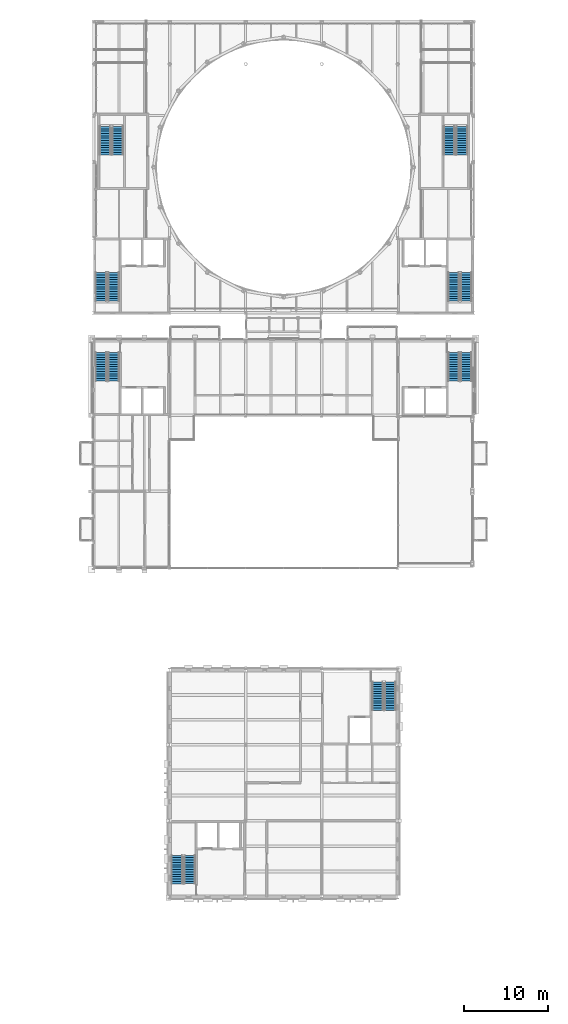
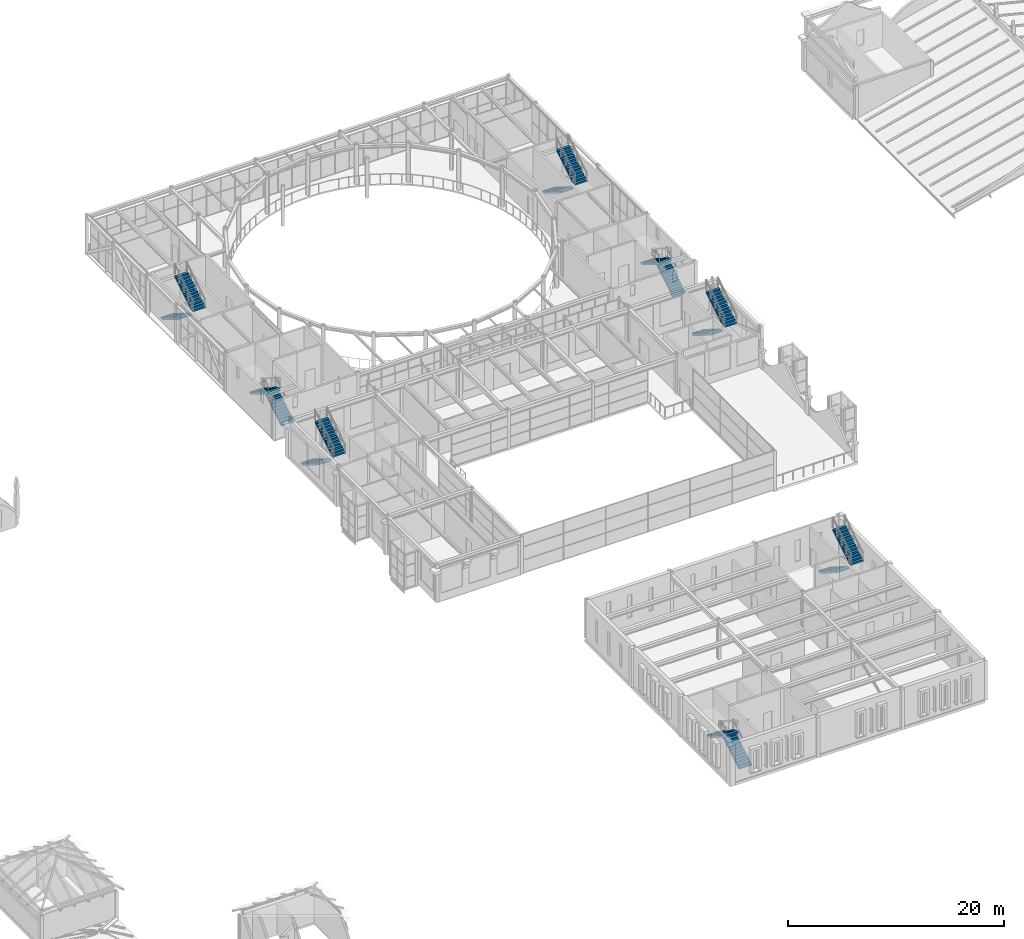
# One storey, part 75 of 111: 16 stair flights, 8 elements without a shape of their own.
"""IFC4 building model written with IfcOpenShell, lengths in metres."""

from ifc_helpers import new_model, si_unit, direction, frame, origin, place, context, subcontext, project, spatial, polyline, outline, extrude, material, type_object, element, aggregate, save


model = new_model("IFC4")

# Units and contexts
model_context = context("Model", 3, precision=1e-05, world=origin(), true_north=direction((0.0, 1.0)))
body_context = subcontext(model_context, "Body", "Model", "MODEL_VIEW")
ifc_project = project(units=[si_unit("LENGTHUNIT", "METRE"), si_unit("AREAUNIT", "SQUARE_METRE"), si_unit("VOLUMEUNIT", "CUBIC_METRE"), si_unit("PLANEANGLEUNIT", "RADIAN"), si_unit("MASSUNIT", "GRAM", prefix="KILO")], contexts=[model_context])

# Site, building, storey
site_placement = place(None, origin())
site = spatial("IfcSite", under=ifc_project, at=site_placement, CompositionType="ELEMENT")
building_placement = place(site_placement, origin())
building = spatial("IfcBuilding", under=site, at=building_placement, Name="Kallimachos Central Library", CompositionType="ELEMENT")
storey_placement = place(building_placement, frame((0.0, 0.0, 14.39990234375)))
storey = spatial("IfcBuildingStorey", under=building, at=storey_placement, Name="L03", CompositionType="ELEMENT", Elevation=14.39990234375)

# Stair, stair flights
ifc_material_1 = material(Name="Concrete C30/37", Category="concrete")
stair_type_1 = type_object("IfcStairType", Name="Concrete stair 1350", PredefinedType="HALF_TURN_STAIR", material=ifc_material_1)
stair_1_placement = place(storey_placement, origin())
stair_1 = element("IfcStair", 1, at=stair_1_placement, inside=storey, type_object=stair_type_1, Name="L03 stair ST13", PredefinedType="HALF_TURN_STAIR")
ifc_material_2 = material(Name="Concrete C30/37", Category="concrete")
stair_flight_type_1 = type_object("IfcStairFlightType", Name="Concrete stair flight 1350", PredefinedType="STRAIGHT", material=ifc_material_2)
stair_flight_1_placement = place(storey_placement, frame((76.875, 19.550048828125, 0.0), z_axis=(0.0, 0.0, 1.0), x_axis=(0.0, 1.0, 0.0)))
stair_flight_1 = element("IfcStairFlight", 2, at=stair_flight_1_placement, type_object=stair_flight_type_1, Name="ST13 flight 1", NumberOfRisers=13, NumberOfTreads=12, PredefinedType="STRAIGHT", RiserHeight=0.173076923, TreadLength=0.28, context=body_context, shape_type="SweptSolid", body=[
    extrude(outline(polyline([(0.0, 0.0), (0.0, 0.173095703125), (0.280029296875, 0.173095703125), (0.280029296875, 0.34619140625), (0.56005859375, 0.34619140625), (0.56005859375, 0.519287109375), (0.840087890625, 0.519287109375), (0.840087890625, 0.6923828125), (1.1201171875, 0.6923828125), (1.1201171875, 0.865478515625), (1.39990234375, 0.865478515625), (1.39990234375, 1.03857421875), (1.679931640625, 1.03857421875), (1.679931640625, 1.21142578125), (1.9599609375, 1.21142578125), (1.9599609375, 1.384521484375), (2.239990234375, 1.384521484375), (2.239990234375, 1.5576171875), (2.52001953125, 1.5576171875), (2.52001953125, 1.730712890625), (2.800048828125, 1.730712890625), (2.800048828125, 1.90380859375), (3.080078125, 1.90380859375), (3.080078125, 2.076904296875), (3.360107421875, 2.076904296875), (3.360107421875, 2.25), (3.360107421875, 1.900634765625), (0.28515625, 0.0), (0.0, 0.0)])), frame((0.0, 0.675048828125, 0.0), z_axis=(0.0, -1.0, 0.0), x_axis=(1.0, 0.0, 0.0)), (0.0, 0.0, 1.0), 1.35009765625),
])
stair_flight_2_placement = place(storey_placement, frame((75.375, 22.909912109375, 2.25), z_axis=(0.0, 0.0, 1.0), x_axis=(0.0, -1.0, 0.0)))
stair_flight_2 = element("IfcStairFlight", 3, at=stair_flight_2_placement, type_object=stair_flight_type_1, Name="ST13 flight 2", NumberOfRisers=13, NumberOfTreads=12, PredefinedType="STRAIGHT", RiserHeight=0.173076923, TreadLength=0.28, context=body_context, shape_type="SweptSolid", body=[
    extrude(outline(polyline([(0.0, 0.0), (0.0, 0.173095703125), (0.280029296875, 0.173095703125), (0.280029296875, 0.34619140625), (0.56005859375, 0.34619140625), (0.56005859375, 0.519287109375), (0.840087890625, 0.519287109375), (0.840087890625, 0.6923828125), (1.1201171875, 0.6923828125), (1.1201171875, 0.865478515625), (1.39990234375, 0.865478515625), (1.39990234375, 1.03857421875), (1.679931640625, 1.03857421875), (1.679931640625, 1.21142578125), (1.9599609375, 1.21142578125), (1.9599609375, 1.384521484375), (2.239990234375, 1.384521484375), (2.239990234375, 1.5576171875), (2.52001953125, 1.5576171875), (2.52001953125, 1.730712890625), (2.800048828125, 1.730712890625), (2.800048828125, 1.90380859375), (3.080078125, 1.90380859375), (3.080078125, 2.076904296875), (3.360107421875, 2.076904296875), (3.360107421875, 2.25), (3.360107421875, 1.900634765625), (0.28515625, 0.0), (0.0, 0.0)])), frame((0.0, 0.675048828125, 0.0), z_axis=(0.0, -1.0, 0.0), x_axis=(1.0, 0.0, 0.0)), (0.0, 0.0, 1.0), 1.35009765625),
])
aggregate(stair_1, [stair_flight_1, stair_flight_2])

stair_2_placement = place(storey_placement, origin())
stair_2 = element("IfcStair", 4, at=stair_2_placement, inside=storey, type_object=stair_type_1, Name="L03 stair ST14", PredefinedType="HALF_TURN_STAIR")
stair_flight_3_placement = place(storey_placement, frame((99.125, 43.449951171875, 0.0), z_axis=(0.0, 0.0, 1.0), x_axis=(0.0, -1.0, 0.0)))
stair_flight_3 = element("IfcStairFlight", 5, at=stair_flight_3_placement, type_object=stair_flight_type_1, Name="ST14 flight 1", NumberOfRisers=13, NumberOfTreads=12, PredefinedType="STRAIGHT", RiserHeight=0.173076923, TreadLength=0.28, context=body_context, shape_type="SweptSolid", body=[
    extrude(outline(polyline([(0.0, 0.0), (0.0, 0.173095703125), (0.280029296875, 0.173095703125), (0.280029296875, 0.34619140625), (0.56005859375, 0.34619140625), (0.56005859375, 0.519287109375), (0.840087890625, 0.519287109375), (0.840087890625, 0.6923828125), (1.1201171875, 0.6923828125), (1.1201171875, 0.865478515625), (1.39990234375, 0.865478515625), (1.39990234375, 1.03857421875), (1.679931640625, 1.03857421875), (1.679931640625, 1.21142578125), (1.9599609375, 1.21142578125), (1.9599609375, 1.384521484375), (2.239990234375, 1.384521484375), (2.239990234375, 1.5576171875), (2.52001953125, 1.5576171875), (2.52001953125, 1.730712890625), (2.800048828125, 1.730712890625), (2.800048828125, 1.90380859375), (3.080078125, 1.90380859375), (3.080078125, 2.076904296875), (3.360107421875, 2.076904296875), (3.360107421875, 2.25), (3.360107421875, 1.900634765625), (0.28515625, 0.0), (0.0, 0.0)])), frame((0.0, 0.675048828125, 0.0), z_axis=(0.0, -1.0, 0.0), x_axis=(1.0, 0.0, 0.0)), (0.0, 0.0, 1.0), 1.35009765625),
])
stair_flight_4_placement = place(storey_placement, frame((100.625, 40.090087890625, 2.25), z_axis=(0.0, 0.0, 1.0), x_axis=(0.0, 1.0, 0.0)))
stair_flight_4 = element("IfcStairFlight", 6, at=stair_flight_4_placement, type_object=stair_flight_type_1, Name="ST14 flight 2", NumberOfRisers=13, NumberOfTreads=12, PredefinedType="STRAIGHT", RiserHeight=0.173076923, TreadLength=0.28, context=body_context, shape_type="SweptSolid", body=[
    extrude(outline(polyline([(0.0, 0.0), (0.0, 0.173095703125), (0.280029296875, 0.173095703125), (0.280029296875, 0.34619140625), (0.56005859375, 0.34619140625), (0.56005859375, 0.519287109375), (0.840087890625, 0.519287109375), (0.840087890625, 0.6923828125), (1.1201171875, 0.6923828125), (1.1201171875, 0.865478515625), (1.39990234375, 0.865478515625), (1.39990234375, 1.03857421875), (1.679931640625, 1.03857421875), (1.679931640625, 1.21142578125), (1.9599609375, 1.21142578125), (1.9599609375, 1.384521484375), (2.239990234375, 1.384521484375), (2.239990234375, 1.5576171875), (2.52001953125, 1.5576171875), (2.52001953125, 1.730712890625), (2.800048828125, 1.730712890625), (2.800048828125, 1.90380859375), (3.080078125, 1.90380859375), (3.080078125, 2.076904296875), (3.360107421875, 2.076904296875), (3.360107421875, 2.25), (3.360107421875, 1.900634765625), (0.28515625, 0.0), (0.0, 0.0)])), frame((0.0, 0.675048828125, 0.0), z_axis=(0.0, -1.0, 0.0), x_axis=(1.0, 0.0, 0.0)), (0.0, 0.0, 1.0), 1.35009765625),
])
aggregate(stair_2, [stair_flight_3, stair_flight_4])

ifc_material_3 = material(Name="Concrete C30/37", Category="concrete")
stair_type_2 = type_object("IfcStairType", Name="Escape stair", PredefinedType="HALF_TURN_STAIR", material=ifc_material_3)
stair_3_placement = place(storey_placement, origin())
stair_3 = element("IfcStair", 7, at=stair_3_placement, inside=storey, type_object=stair_type_2, Name="L03 stair ST9", PredefinedType="HALF_TURN_STAIR")
ifc_material_4 = material(Name="Concrete C30/37", Category="concrete")
stair_flight_type_2 = type_object("IfcStairFlightType", Name="Stair flight", PredefinedType="STRAIGHT", material=ifc_material_4)
stair_flight_5_placement = place(storey_placement, frame((66.375, 82.449951171875, 0.0), z_axis=(0.0, 0.0, 1.0), x_axis=(0.0, -1.0, 0.0)))
stair_flight_5 = element("IfcStairFlight", 8, at=stair_flight_5_placement, type_object=stair_flight_type_2, Name="ST9 flight 1", NumberOfRisers=13, NumberOfTreads=12, PredefinedType="STRAIGHT", RiserHeight=0.173076923, TreadLength=0.28, context=body_context, shape_type="SweptSolid", body=[
    extrude(outline(polyline([(0.0, 0.0), (0.0, 0.173095703125), (0.280029296875, 0.173095703125), (0.280029296875, 0.34619140625), (0.56005859375, 0.34619140625), (0.56005859375, 0.519287109375), (0.840087890625, 0.519287109375), (0.840087890625, 0.6923828125), (1.1201171875, 0.6923828125), (1.1201171875, 0.865478515625), (1.39990234375, 0.865478515625), (1.39990234375, 1.03857421875), (1.679931640625, 1.03857421875), (1.679931640625, 1.21142578125), (1.9599609375, 1.21142578125), (1.9599609375, 1.384521484375), (2.239990234375, 1.384521484375), (2.239990234375, 1.5576171875), (2.52001953125, 1.5576171875), (2.52001953125, 1.730712890625), (2.800048828125, 1.730712890625), (2.800048828125, 1.90380859375), (3.080078125, 1.90380859375), (3.080078125, 2.076904296875), (3.360107421875, 2.076904296875), (3.360107421875, 2.25), (3.360107421875, 1.900634765625), (0.28515625, 0.0), (0.0, 0.0)])), frame((0.0, 0.675048828125, 0.0), z_axis=(0.0, -1.0, 0.0), x_axis=(1.0, 0.0, 0.0)), (0.0, 0.0, 1.0), 1.35009765625),
])
stair_flight_6_placement = place(storey_placement, frame((67.875, 79.090087890625, 2.25), z_axis=(0.0, 0.0, 1.0), x_axis=(0.0, 1.0, 0.0)))
stair_flight_6 = element("IfcStairFlight", 9, at=stair_flight_6_placement, type_object=stair_flight_type_2, Name="ST9 flight 2", NumberOfRisers=13, NumberOfTreads=12, PredefinedType="STRAIGHT", RiserHeight=0.173076923, TreadLength=0.28, context=body_context, shape_type="SweptSolid", body=[
    extrude(outline(polyline([(0.0, 0.0), (0.0, 0.173095703125), (0.280029296875, 0.173095703125), (0.280029296875, 0.34619140625), (0.56005859375, 0.34619140625), (0.56005859375, 0.519287109375), (0.840087890625, 0.519287109375), (0.840087890625, 0.6923828125), (1.1201171875, 0.6923828125), (1.1201171875, 0.865478515625), (1.39990234375, 0.865478515625), (1.39990234375, 1.03857421875), (1.679931640625, 1.03857421875), (1.679931640625, 1.21142578125), (1.9599609375, 1.21142578125), (1.9599609375, 1.384521484375), (2.239990234375, 1.384521484375), (2.239990234375, 1.5576171875), (2.52001953125, 1.5576171875), (2.52001953125, 1.730712890625), (2.800048828125, 1.730712890625), (2.800048828125, 1.90380859375), (3.080078125, 1.90380859375), (3.080078125, 2.076904296875), (3.360107421875, 2.076904296875), (3.360107421875, 2.25), (3.360107421875, 1.900634765625), (0.28515625, 0.0), (0.0, 0.0)])), frame((0.0, 0.675048828125, 0.0), z_axis=(0.0, -1.0, 0.0), x_axis=(1.0, 0.0, 0.0)), (0.0, 0.0, 1.0), 1.35009765625),
])
aggregate(stair_3, [stair_flight_5, stair_flight_6])

stair_4_placement = place(storey_placement, origin())
stair_4 = element("IfcStair", 10, at=stair_4_placement, inside=storey, type_object=stair_type_2, Name="L03 stair ST10", PredefinedType="HALF_TURN_STAIR")
stair_flight_7_placement = place(storey_placement, frame((108.125, 82.449951171875, 0.0), z_axis=(0.0, 0.0, 1.0), x_axis=(0.0, -1.0, 0.0)))
stair_flight_7 = element("IfcStairFlight", 11, at=stair_flight_7_placement, type_object=stair_flight_type_2, Name="ST10 flight 1", NumberOfRisers=13, NumberOfTreads=12, PredefinedType="STRAIGHT", RiserHeight=0.173076923, TreadLength=0.28, context=body_context, shape_type="SweptSolid", body=[
    extrude(outline(polyline([(0.0, 0.0), (0.0, 0.173095703125), (0.280029296875, 0.173095703125), (0.280029296875, 0.34619140625), (0.56005859375, 0.34619140625), (0.56005859375, 0.519287109375), (0.840087890625, 0.519287109375), (0.840087890625, 0.6923828125), (1.1201171875, 0.6923828125), (1.1201171875, 0.865478515625), (1.39990234375, 0.865478515625), (1.39990234375, 1.03857421875), (1.679931640625, 1.03857421875), (1.679931640625, 1.21142578125), (1.9599609375, 1.21142578125), (1.9599609375, 1.384521484375), (2.239990234375, 1.384521484375), (2.239990234375, 1.5576171875), (2.52001953125, 1.5576171875), (2.52001953125, 1.730712890625), (2.800048828125, 1.730712890625), (2.800048828125, 1.90380859375), (3.080078125, 1.90380859375), (3.080078125, 2.076904296875), (3.360107421875, 2.076904296875), (3.360107421875, 2.25), (3.360107421875, 1.900634765625), (0.28515625, 0.0), (0.0, 0.0)])), frame((0.0, 0.675048828125, 0.0), z_axis=(0.0, -1.0, 0.0), x_axis=(1.0, 0.0, 0.0)), (0.0, 0.0, 1.0), 1.35009765625),
])
stair_flight_8_placement = place(storey_placement, frame((109.625, 79.090087890625, 2.25), z_axis=(0.0, 0.0, 1.0), x_axis=(0.0, 1.0, 0.0)))
stair_flight_8 = element("IfcStairFlight", 12, at=stair_flight_8_placement, type_object=stair_flight_type_2, Name="ST10 flight 2", NumberOfRisers=13, NumberOfTreads=12, PredefinedType="STRAIGHT", RiserHeight=0.173076923, TreadLength=0.28, context=body_context, shape_type="SweptSolid", body=[
    extrude(outline(polyline([(0.0, 0.0), (0.0, 0.173095703125), (0.280029296875, 0.173095703125), (0.280029296875, 0.34619140625), (0.56005859375, 0.34619140625), (0.56005859375, 0.519287109375), (0.840087890625, 0.519287109375), (0.840087890625, 0.6923828125), (1.1201171875, 0.6923828125), (1.1201171875, 0.865478515625), (1.39990234375, 0.865478515625), (1.39990234375, 1.03857421875), (1.679931640625, 1.03857421875), (1.679931640625, 1.21142578125), (1.9599609375, 1.21142578125), (1.9599609375, 1.384521484375), (2.239990234375, 1.384521484375), (2.239990234375, 1.5576171875), (2.52001953125, 1.5576171875), (2.52001953125, 1.730712890625), (2.800048828125, 1.730712890625), (2.800048828125, 1.90380859375), (3.080078125, 1.90380859375), (3.080078125, 2.076904296875), (3.360107421875, 2.076904296875), (3.360107421875, 2.25), (3.360107421875, 1.900634765625), (0.28515625, 0.0), (0.0, 0.0)])), frame((0.0, 0.675048828125, 0.0), z_axis=(0.0, -1.0, 0.0), x_axis=(1.0, 0.0, 0.0)), (0.0, 0.0, 1.0), 1.35009765625),
])
aggregate(stair_4, [stair_flight_7, stair_flight_8])

ifc_material_5 = material(Name="Steel S355J2", Category="steel")
stair_type_3 = type_object("IfcStairType", Name="Steel half-turn stair 1350", PredefinedType="HALF_TURN_STAIR", material=ifc_material_5)
stair_5_placement = place(storey_placement, origin())
stair_5 = element("IfcStair", 13, at=stair_5_placement, inside=storey, type_object=stair_type_3, Name="L03 stair ST1", PredefinedType="HALF_TURN_STAIR")
ifc_material_6 = material(Name="Steel S355J2", Category="steel")
stair_flight_type_3 = type_object("IfcStairFlightType", Name="Steel stair flight 1350", PredefinedType="STRAIGHT", material=ifc_material_6)
stair_flight_9_placement = place(storey_placement, frame((67.875, 88.550048828125, 0.0), z_axis=(0.0, 0.0, 1.0), x_axis=(0.0, 1.0, 0.0)))
stair_flight_9 = element("IfcStairFlight", 14, at=stair_flight_9_placement, type_object=stair_flight_type_3, Name="ST1 flight 1", NumberOfRisers=13, NumberOfTreads=12, PredefinedType="STRAIGHT", RiserHeight=0.173076923, TreadLength=0.28, context=body_context, shape_type="SweptSolid", body=[
    extrude(outline(polyline([(0.0, 0.0), (0.0, 0.173095703125), (0.280029296875, 0.173095703125), (0.280029296875, 0.34619140625), (0.56005859375, 0.34619140625), (0.56005859375, 0.519287109375), (0.840087890625, 0.519287109375), (0.840087890625, 0.6923828125), (1.1201171875, 0.6923828125), (1.1201171875, 0.865478515625), (1.39990234375, 0.865478515625), (1.39990234375, 1.03857421875), (1.679931640625, 1.03857421875), (1.679931640625, 1.21142578125), (1.9599609375, 1.21142578125), (1.9599609375, 1.384521484375), (2.239990234375, 1.384521484375), (2.239990234375, 1.5576171875), (2.52001953125, 1.5576171875), (2.52001953125, 1.730712890625), (2.800048828125, 1.730712890625), (2.800048828125, 1.90380859375), (3.080078125, 1.90380859375), (3.080078125, 2.076904296875), (3.360107421875, 2.076904296875), (3.360107421875, 2.25), (3.360107421875, 1.900634765625), (0.28515625, 0.0), (0.0, 0.0)])), frame((0.0, 0.675048828125, 0.0), z_axis=(0.0, -1.0, 0.0), x_axis=(1.0, 0.0, 0.0)), (0.0, 0.0, 1.0), 1.35009765625),
])
stair_flight_10_placement = place(storey_placement, frame((66.375, 91.909912109375, 2.25), z_axis=(0.0, 0.0, 1.0), x_axis=(0.0, -1.0, 0.0)))
stair_flight_10 = element("IfcStairFlight", 15, at=stair_flight_10_placement, type_object=stair_flight_type_3, Name="ST1 flight 2", NumberOfRisers=13, NumberOfTreads=12, PredefinedType="STRAIGHT", RiserHeight=0.173076923, TreadLength=0.28, context=body_context, shape_type="SweptSolid", body=[
    extrude(outline(polyline([(0.0, 0.0), (0.0, 0.173095703125), (0.280029296875, 0.173095703125), (0.280029296875, 0.34619140625), (0.56005859375, 0.34619140625), (0.56005859375, 0.519287109375), (0.840087890625, 0.519287109375), (0.840087890625, 0.6923828125), (1.1201171875, 0.6923828125), (1.1201171875, 0.865478515625), (1.39990234375, 0.865478515625), (1.39990234375, 1.03857421875), (1.679931640625, 1.03857421875), (1.679931640625, 1.21142578125), (1.9599609375, 1.21142578125), (1.9599609375, 1.384521484375), (2.239990234375, 1.384521484375), (2.239990234375, 1.5576171875), (2.52001953125, 1.5576171875), (2.52001953125, 1.730712890625), (2.800048828125, 1.730712890625), (2.800048828125, 1.90380859375), (3.080078125, 1.90380859375), (3.080078125, 2.076904296875), (3.360107421875, 2.076904296875), (3.360107421875, 2.25), (3.360107421875, 1.900634765625), (0.28515625, 0.0), (0.0, 0.0)])), frame((0.0, 0.675048828125, 0.0), z_axis=(0.0, -1.0, 0.0), x_axis=(1.0, 0.0, 0.0)), (0.0, 0.0, 1.0), 1.35009765625),
])
aggregate(stair_5, [stair_flight_9, stair_flight_10])

stair_6_placement = place(storey_placement, origin())
stair_6 = element("IfcStair", 16, at=stair_6_placement, inside=storey, type_object=stair_type_3, Name="L03 stair ST2", PredefinedType="HALF_TURN_STAIR")
stair_flight_11_placement = place(storey_placement, frame((109.625, 88.550048828125, 0.0), z_axis=(0.0, 0.0, 1.0), x_axis=(0.0, 1.0, 0.0)))
stair_flight_11 = element("IfcStairFlight", 17, at=stair_flight_11_placement, type_object=stair_flight_type_3, Name="ST2 flight 1", NumberOfRisers=13, NumberOfTreads=12, PredefinedType="STRAIGHT", RiserHeight=0.173076923, TreadLength=0.28, context=body_context, shape_type="SweptSolid", body=[
    extrude(outline(polyline([(0.0, 0.0), (0.0, 0.173095703125), (0.280029296875, 0.173095703125), (0.280029296875, 0.34619140625), (0.56005859375, 0.34619140625), (0.56005859375, 0.519287109375), (0.840087890625, 0.519287109375), (0.840087890625, 0.6923828125), (1.1201171875, 0.6923828125), (1.1201171875, 0.865478515625), (1.39990234375, 0.865478515625), (1.39990234375, 1.03857421875), (1.679931640625, 1.03857421875), (1.679931640625, 1.21142578125), (1.9599609375, 1.21142578125), (1.9599609375, 1.384521484375), (2.239990234375, 1.384521484375), (2.239990234375, 1.5576171875), (2.52001953125, 1.5576171875), (2.52001953125, 1.730712890625), (2.800048828125, 1.730712890625), (2.800048828125, 1.90380859375), (3.080078125, 1.90380859375), (3.080078125, 2.076904296875), (3.360107421875, 2.076904296875), (3.360107421875, 2.25), (3.360107421875, 1.900634765625), (0.28515625, 0.0), (0.0, 0.0)])), frame((0.0, 0.675048828125, 0.0), z_axis=(0.0, -1.0, 0.0), x_axis=(1.0, 0.0, 0.0)), (0.0, 0.0, 1.0), 1.35009765625),
])
stair_flight_12_placement = place(storey_placement, frame((108.125, 91.909912109375, 2.25), z_axis=(0.0, 0.0, 1.0), x_axis=(0.0, -1.0, 0.0)))
stair_flight_12 = element("IfcStairFlight", 18, at=stair_flight_12_placement, type_object=stair_flight_type_3, Name="ST2 flight 2", NumberOfRisers=13, NumberOfTreads=12, PredefinedType="STRAIGHT", RiserHeight=0.173076923, TreadLength=0.28, context=body_context, shape_type="SweptSolid", body=[
    extrude(outline(polyline([(0.0, 0.0), (0.0, 0.173095703125), (0.280029296875, 0.173095703125), (0.280029296875, 0.34619140625), (0.56005859375, 0.34619140625), (0.56005859375, 0.519287109375), (0.840087890625, 0.519287109375), (0.840087890625, 0.6923828125), (1.1201171875, 0.6923828125), (1.1201171875, 0.865478515625), (1.39990234375, 0.865478515625), (1.39990234375, 1.03857421875), (1.679931640625, 1.03857421875), (1.679931640625, 1.21142578125), (1.9599609375, 1.21142578125), (1.9599609375, 1.384521484375), (2.239990234375, 1.384521484375), (2.239990234375, 1.5576171875), (2.52001953125, 1.5576171875), (2.52001953125, 1.730712890625), (2.800048828125, 1.730712890625), (2.800048828125, 1.90380859375), (3.080078125, 1.90380859375), (3.080078125, 2.076904296875), (3.360107421875, 2.076904296875), (3.360107421875, 2.25), (3.360107421875, 1.900634765625), (0.28515625, 0.0), (0.0, 0.0)])), frame((0.0, 0.675048828125, 0.0), z_axis=(0.0, -1.0, 0.0), x_axis=(1.0, 0.0, 0.0)), (0.0, 0.0, 1.0), 1.35009765625),
])
aggregate(stair_6, [stair_flight_11, stair_flight_12])

stair_7_placement = place(storey_placement, origin())
stair_7 = element("IfcStair", 19, at=stair_7_placement, inside=storey, type_object=stair_type_3, Name="L03 stair ST3", PredefinedType="HALF_TURN_STAIR")
stair_flight_13_placement = place(storey_placement, frame((66.875, 109.22509765625, 0.0), z_axis=(0.0, 0.0, 1.0), x_axis=(0.0, -1.0, 0.0)))
stair_flight_13 = element("IfcStairFlight", 20, at=stair_flight_13_placement, type_object=stair_flight_type_3, Name="ST3 flight 1", NumberOfRisers=13, NumberOfTreads=12, PredefinedType="STRAIGHT", RiserHeight=0.173076923, TreadLength=0.28, context=body_context, shape_type="SweptSolid", body=[
    extrude(outline(polyline([(0.0, 0.0), (0.0, 0.173095703125), (0.280029296875, 0.173095703125), (0.280029296875, 0.34619140625), (0.56005859375, 0.34619140625), (0.56005859375, 0.519287109375), (0.840087890625, 0.519287109375), (0.840087890625, 0.6923828125), (1.1201171875, 0.6923828125), (1.1201171875, 0.865478515625), (1.39990234375, 0.865478515625), (1.39990234375, 1.03857421875), (1.679931640625, 1.03857421875), (1.679931640625, 1.21142578125), (1.9599609375, 1.21142578125), (1.9599609375, 1.384521484375), (2.239990234375, 1.384521484375), (2.239990234375, 1.5576171875), (2.52001953125, 1.5576171875), (2.52001953125, 1.730712890625), (2.800048828125, 1.730712890625), (2.800048828125, 1.90380859375), (3.080078125, 1.90380859375), (3.080078125, 2.076904296875), (3.360107421875, 2.076904296875), (3.360107421875, 2.25), (3.360107421875, 1.900634765625), (0.28515625, 0.0), (0.0, 0.0)])), frame((0.0, 0.675048828125, 0.0), z_axis=(0.0, -1.0, 0.0), x_axis=(1.0, 0.0, 0.0)), (0.0, 0.0, 1.0), 1.35009765625),
])
stair_flight_14_placement = place(storey_placement, frame((68.375, 105.864990234375, 2.25), z_axis=(0.0, 0.0, 1.0), x_axis=(0.0, 1.0, 0.0)))
stair_flight_14 = element("IfcStairFlight", 21, at=stair_flight_14_placement, type_object=stair_flight_type_3, Name="ST3 flight 2", NumberOfRisers=13, NumberOfTreads=12, PredefinedType="STRAIGHT", RiserHeight=0.173076923, TreadLength=0.28, context=body_context, shape_type="SweptSolid", body=[
    extrude(outline(polyline([(0.0, 0.0), (0.0, 0.173095703125), (0.280029296875, 0.173095703125), (0.280029296875, 0.34619140625), (0.56005859375, 0.34619140625), (0.56005859375, 0.519287109375), (0.840087890625, 0.519287109375), (0.840087890625, 0.6923828125), (1.1201171875, 0.6923828125), (1.1201171875, 0.865478515625), (1.39990234375, 0.865478515625), (1.39990234375, 1.03857421875), (1.679931640625, 1.03857421875), (1.679931640625, 1.21142578125), (1.9599609375, 1.21142578125), (1.9599609375, 1.384521484375), (2.239990234375, 1.384521484375), (2.239990234375, 1.5576171875), (2.52001953125, 1.5576171875), (2.52001953125, 1.730712890625), (2.800048828125, 1.730712890625), (2.800048828125, 1.90380859375), (3.080078125, 1.90380859375), (3.080078125, 2.076904296875), (3.360107421875, 2.076904296875), (3.360107421875, 2.25), (3.360107421875, 1.900634765625), (0.28515625, 0.0), (0.0, 0.0)])), frame((0.0, 0.675048828125, 0.0), z_axis=(0.0, -1.0, 0.0), x_axis=(1.0, 0.0, 0.0)), (0.0, 0.0, 1.0), 1.35009765625),
])
aggregate(stair_7, [stair_flight_13, stair_flight_14])

stair_8_placement = place(storey_placement, origin())
stair_8 = element("IfcStair", 22, at=stair_8_placement, inside=storey, type_object=stair_type_3, Name="L03 stair ST4", PredefinedType="HALF_TURN_STAIR")
stair_flight_15_placement = place(storey_placement, frame((107.625, 109.22509765625, 0.0), z_axis=(0.0, 0.0, 1.0), x_axis=(0.0, -1.0, 0.0)))
stair_flight_15 = element("IfcStairFlight", 23, at=stair_flight_15_placement, type_object=stair_flight_type_3, Name="ST4 flight 1", NumberOfRisers=13, NumberOfTreads=12, PredefinedType="STRAIGHT", RiserHeight=0.173076923, TreadLength=0.28, context=body_context, shape_type="SweptSolid", body=[
    extrude(outline(polyline([(0.0, 0.0), (0.0, 0.173095703125), (0.280029296875, 0.173095703125), (0.280029296875, 0.34619140625), (0.56005859375, 0.34619140625), (0.56005859375, 0.519287109375), (0.840087890625, 0.519287109375), (0.840087890625, 0.6923828125), (1.1201171875, 0.6923828125), (1.1201171875, 0.865478515625), (1.39990234375, 0.865478515625), (1.39990234375, 1.03857421875), (1.679931640625, 1.03857421875), (1.679931640625, 1.21142578125), (1.9599609375, 1.21142578125), (1.9599609375, 1.384521484375), (2.239990234375, 1.384521484375), (2.239990234375, 1.5576171875), (2.52001953125, 1.5576171875), (2.52001953125, 1.730712890625), (2.800048828125, 1.730712890625), (2.800048828125, 1.90380859375), (3.080078125, 1.90380859375), (3.080078125, 2.076904296875), (3.360107421875, 2.076904296875), (3.360107421875, 2.25), (3.360107421875, 1.900634765625), (0.28515625, 0.0), (0.0, 0.0)])), frame((0.0, 0.675048828125, 0.0), z_axis=(0.0, -1.0, 0.0), x_axis=(1.0, 0.0, 0.0)), (0.0, 0.0, 1.0), 1.35009765625),
])
stair_flight_16_placement = place(storey_placement, frame((109.125, 105.864990234375, 2.25), z_axis=(0.0, 0.0, 1.0), x_axis=(0.0, 1.0, 0.0)))
stair_flight_16 = element("IfcStairFlight", 24, at=stair_flight_16_placement, type_object=stair_flight_type_3, Name="ST4 flight 2", NumberOfRisers=13, NumberOfTreads=12, PredefinedType="STRAIGHT", RiserHeight=0.173076923, TreadLength=0.28, context=body_context, shape_type="SweptSolid", body=[
    extrude(outline(polyline([(0.0, 0.0), (0.0, 0.173095703125), (0.280029296875, 0.173095703125), (0.280029296875, 0.34619140625), (0.56005859375, 0.34619140625), (0.56005859375, 0.519287109375), (0.840087890625, 0.519287109375), (0.840087890625, 0.6923828125), (1.1201171875, 0.6923828125), (1.1201171875, 0.865478515625), (1.39990234375, 0.865478515625), (1.39990234375, 1.03857421875), (1.679931640625, 1.03857421875), (1.679931640625, 1.21142578125), (1.9599609375, 1.21142578125), (1.9599609375, 1.384521484375), (2.239990234375, 1.384521484375), (2.239990234375, 1.5576171875), (2.52001953125, 1.5576171875), (2.52001953125, 1.730712890625), (2.800048828125, 1.730712890625), (2.800048828125, 1.90380859375), (3.080078125, 1.90380859375), (3.080078125, 2.076904296875), (3.360107421875, 2.076904296875), (3.360107421875, 2.25), (3.360107421875, 1.900634765625), (0.28515625, 0.0), (0.0, 0.0)])), frame((0.0, 0.675048828125, 0.0), z_axis=(0.0, -1.0, 0.0), x_axis=(1.0, 0.0, 0.0)), (0.0, 0.0, 1.0), 1.35009765625),
])
aggregate(stair_8, [stair_flight_15, stair_flight_16])

save(model, "model.ifc")
